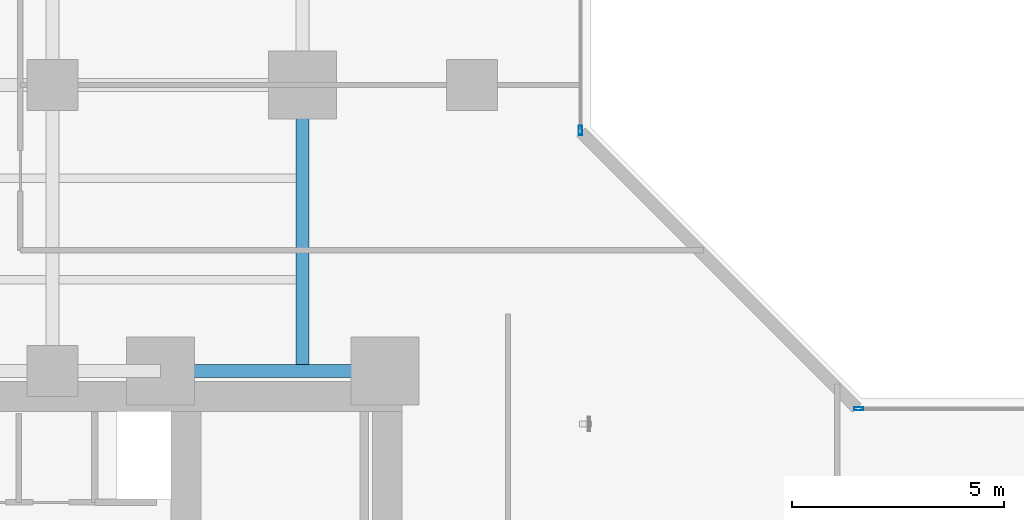
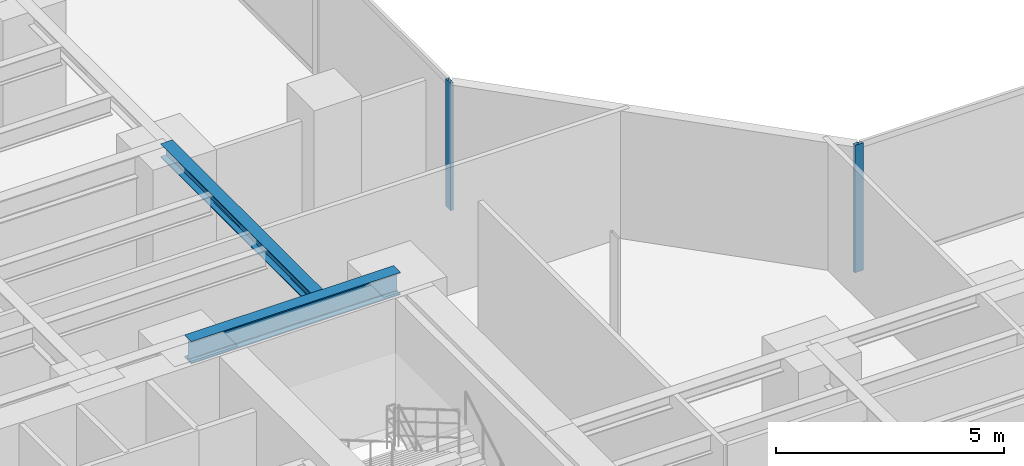
# One storey, part 8 of 28: 2 beams, 2 members, 2 elements without a shape of their own.
"""IFC4 building model written with IfcOpenShell, lengths in metres."""

import ifcopenshell
import ifcopenshell.guid

model = None  # the IFC model being written
_history = None  # IfcOwnerHistory: only IFC2X3 demands one
_inside = {}  # id of a spatial element -> (the spatial element, [elements in it])
_under = {}  # id of a project, library or spatial element -> (it, [spatial elements below it])
_declared = {}  # id of a project -> (the project, [libraries it declares])
_typed = {}  # id of a type object -> (the type object, [elements of that type])
_made_of = {}  # id of a material, layer set ... -> (it, [elements and type objects made of it])


def new_model(schema):
    """Start an empty IFC model of exactly this schema.

    Asked for "IFC4X3", IfcOpenShell would pick the latest addendum, in which some entities
    have other attributes; the version numbers below select the first issue.
    IFC2X3 requires an IfcOwnerHistory on every rooted entity: one is made here for all.
    """
    global model, _history
    if schema == "IFC4X3":
        model = ifcopenshell.file(schema_version=(4, 3, 0, 0))
    else:
        model = ifcopenshell.file(schema=schema)
    _inside.clear()
    _under.clear()
    _declared.clear()
    _typed.clear()
    _made_of.clear()
    _history = None
    if model.schema == "IFC2X3":
        org = make("IfcOrganization", Name="unknown")
        user = make(
            "IfcPersonAndOrganization",
            ThePerson=make("IfcPerson", FamilyName="unknown"),
            TheOrganization=org,
        )
        app = make(
            "IfcApplication",
            ApplicationDeveloper=org,
            Version="unknown",
            ApplicationFullName="unknown",
            ApplicationIdentifier="unknown",
        )
        _history = make(
            "IfcOwnerHistory",
            OwningUser=user,
            OwningApplication=app,
            ChangeAction="ADDED",
            CreationDate=0,
        )
    return model


def make(cls, **values):
    """One entity of the class cls with the attributes given. An attribute that is None is left unset."""
    return model.create_entity(
        cls, **{name: value for name, value in values.items() if value is not None}
    )


def rooted(cls, **values):
    """An entity with a GlobalId (a new one), such as an element, a storey or a relation."""
    return make(cls, GlobalId=ifcopenshell.guid.new(), OwnerHistory=_history, **values)


def si_unit(unit_type, name, prefix=None):
    """IfcSIUnit, for example si_unit("LENGTHUNIT", "METRE", prefix="MILLI")."""
    return make("IfcSIUnit", UnitType=unit_type, Prefix=prefix, Name=name)


def assignment(units):
    """IfcUnitAssignment: the units of a project."""
    return None if units is None else make("IfcUnitAssignment", Units=units)


def point(xyz):
    """IfcCartesianPoint."""
    return None if xyz is None else make("IfcCartesianPoint", Coordinates=xyz)


def direction(xyz):
    """IfcDirection."""
    return None if xyz is None else make("IfcDirection", DirectionRatios=xyz)


def frame(location, z_axis=None, x_axis=None):
    """IfcAxis2Placement3D, a coordinate frame: its origin and axes. An axis left out is left unset."""
    return make(
        "IfcAxis2Placement3D",
        Location=point(location),
        Axis=direction(z_axis),
        RefDirection=direction(x_axis),
    )


def frame_2d(location, x_axis=None):
    """IfcAxis2Placement2D, a coordinate frame in the plane: its origin and x axis."""
    return make(
        "IfcAxis2Placement2D", Location=point(location), RefDirection=direction(x_axis)
    )


def origin():
    """The frame at (0, 0, 0) with its axes left unset."""
    return frame((0.0, 0.0, 0.0))


def origin_with_axes():
    """The frame at (0, 0, 0) with the z axis (0, 0, 1) and the x axis (1, 0, 0) written out."""
    return frame((0.0, 0.0, 0.0), z_axis=(0.0, 0.0, 1.0), x_axis=(1.0, 0.0, 0.0))


def origin_2d():
    """The frame at (0, 0) in the plane with its x axis left unset."""
    return frame_2d((0.0, 0.0))


def place(relative_to, where):
    """IfcLocalPlacement: puts the frame where relative to a parent placement (None: the world)."""
    return make(
        "IfcLocalPlacement", PlacementRelTo=relative_to, RelativePlacement=where
    )


def context(
    kind, dimensions, precision=None, world=None, true_north=None, identifier=None
):
    """IfcGeometricRepresentationContext, for example the 3D "Model" context."""
    return make(
        "IfcGeometricRepresentationContext",
        ContextIdentifier=identifier,
        ContextType=kind,
        CoordinateSpaceDimension=dimensions,
        Precision=precision,
        WorldCoordinateSystem=world,
        TrueNorth=true_north,
    )


def subcontext(parent, identifier, kind, view, scale=None):
    """IfcGeometricRepresentationSubContext, for example "Body" below "Model"."""
    return make(
        "IfcGeometricRepresentationSubContext",
        ContextIdentifier=identifier,
        ContextType=kind,
        ParentContext=parent,
        TargetScale=scale,
        TargetView=view,
    )


def project(units=None, contexts=None):
    """IfcProject with its units and contexts."""
    return rooted(
        "IfcProject",
        Name="project",
        RepresentationContexts=contexts,
        UnitsInContext=assignment(units),
    )


def spatial(cls, under=None, at=None, **own):
    """A site, building, storey or space (cls), placed at a placement, below another one or the project."""
    s = rooted(cls, ObjectPlacement=at, **own)
    if under is not None:
        _under.setdefault(under.id(), (under, []))[1].append(s)
    return s


def profile(cls, at=None, kind="AREA", **sizes):
    """A parametric profile (cls). Its sizes go by their IFC names, for example OverallWidth=200.0."""
    return make(cls, ProfileType=kind, Position=at, **sizes)


def hollow_rectangle(**sizes):
    """IfcRectangleHollowProfileDef."""
    return profile("IfcRectangleHollowProfileDef", **sizes)


def i_section(**sizes):
    """IfcIShapeProfileDef."""
    return profile("IfcIShapeProfileDef", **sizes)


def extrude(swept, where, along, depth):
    """IfcExtrudedAreaSolid: the profile swept, set in the frame where, extruded along a direction by depth."""
    return make(
        "IfcExtrudedAreaSolid",
        SweptArea=swept,
        Position=where,
        ExtrudedDirection=direction(along),
        Depth=depth,
    )


def shape(context_of_items, identifier, shape_type, items):
    """IfcShapeRepresentation: the items that make up one representation, for example the "Body"."""
    return make(
        "IfcShapeRepresentation",
        ContextOfItems=context_of_items,
        RepresentationIdentifier=identifier,
        RepresentationType=shape_type,
        Items=items,
    )


def source(mapping_origin, context_of_items, identifier, shape_type, items):
    """IfcRepresentationMap: a shape defined once, which mapped items show again and again."""
    return make(
        "IfcRepresentationMap",
        MappingOrigin=mapping_origin,
        MappedRepresentation=shape(context_of_items, identifier, shape_type, items),
    )


def transform(
    local_origin,
    x_axis=None,
    y_axis=None,
    z_axis=None,
    scale=None,
    scale2=None,
    scale3=None,
    uniform=True,
):
    """IfcCartesianTransformationOperator3D, or its non-uniform kind. x_axis, y_axis, z_axis: its Axis1, 2, 3."""
    if uniform:
        return make(
            "IfcCartesianTransformationOperator3D",
            Axis1=direction(x_axis),
            Axis2=direction(y_axis),
            LocalOrigin=point(local_origin),
            Scale=scale,
            Axis3=direction(z_axis),
        )
    return make(
        "IfcCartesianTransformationOperator3DnonUniform",
        Axis1=direction(x_axis),
        Axis2=direction(y_axis),
        LocalOrigin=point(local_origin),
        Scale=scale,
        Axis3=direction(z_axis),
        Scale2=scale2,
        Scale3=scale3,
    )


def mapped(mapping_source, mapping_target):
    """IfcMappedItem: shows the shape of a source again, moved by a transform."""
    return make(
        "IfcMappedItem", MappingSource=mapping_source, MappingTarget=mapping_target
    )


def material(Name=None, Category=None):
    """IfcMaterial."""
    return make("IfcMaterial", Name=Name, Category=Category)


def layer(
    of_material, thickness, ventilated=None, Name=None, Category=None, Priority=None
):
    """IfcMaterialLayer: one layer of a wall or slab, of a material (None: an air gap)."""
    return make(
        "IfcMaterialLayer",
        Material=of_material,
        LayerThickness=thickness,
        IsVentilated=ventilated,
        Name=Name,
        Category=Category,
        Priority=Priority,
    )


def layer_set(layers, Name=None):
    """IfcMaterialLayerSet."""
    return make("IfcMaterialLayerSet", MaterialLayers=layers, LayerSetName=Name)


def material_profile(
    of_material, cross_section, Name=None, Category=None, Priority=None
):
    """IfcMaterialProfile: a cross section and its material."""
    return make(
        "IfcMaterialProfile",
        Name=Name,
        Material=of_material,
        Profile=cross_section,
        Priority=Priority,
        Category=Category,
    )


def profile_set(profiles, Name=None, composite=None):
    """IfcMaterialProfileSet."""
    return make(
        "IfcMaterialProfileSet",
        Name=Name,
        MaterialProfiles=profiles,
        CompositeProfile=composite,
    )


def made_of(thing, what):
    """Note that an element or type object is made of a material, layer set ...; save() writes the relation."""
    if what is not None:
        _made_of.setdefault(what.id(), (what, []))[1].append(thing)
    return thing


def type_object(cls, material=None, **own):
    """A type object (cls), such as IfcWallType, which elements share."""
    return made_of(rooted(cls, **own), material)


def element(
    cls,
    number,
    at=None,
    inside=None,
    cuts=None,
    type_object=None,
    material=None,
    context=None,
    identifier="Body",
    shape_type=None,
    held_by="IfcProductDefinitionShape",
    body=None,
    shapes=None,
    **own,
):
    """One element of the class cls, such as IfcWall. Its Tag is "e" and its number.

    at: its placement. inside: the storey or other place that contains it. cuts: it is an
    opening in that element (IfcRelVoidsElement). A single representation is given by context,
    identifier, shape_type and body (its items); several are given by shapes. held_by: the class
    of the entity that holds the representations. save() writes the other relations.
    """
    e = rooted(cls, Tag="e%d" % number, ObjectPlacement=at, **own)
    if body is not None:
        shapes = [shape(context, identifier, shape_type, body)]
    if shapes is not None:
        e.Representation = make(held_by, Representations=shapes)
    if inside is not None:
        _inside.setdefault(inside.id(), (inside, []))[1].append(e)
    if cuts is not None:
        rooted(
            "IfcRelVoidsElement", RelatingBuildingElement=cuts, RelatedOpeningElement=e
        )
    if type_object is not None:
        _typed.setdefault(type_object.id(), (type_object, []))[1].append(e)
    return made_of(e, material)


def aggregate(whole, parts):
    """IfcRelAggregates: a whole, such as a stair, and the parts it consists of."""
    return rooted("IfcRelAggregates", RelatingObject=whole, RelatedObjects=parts)


def save(model, path):
    """Write the relations noted so far, then the file.

    IfcRelAggregates (storeys below a building ...), IfcRelContainedInSpatialStructure (elements
    in a storey), IfcRelDefinesByType, IfcRelAssociatesMaterial and IfcRelDeclares: one each for
    every whole, place, type object, material and project.
    """
    for whole, parts in _under.values():
        aggregate(whole, parts)
    for where, things in _inside.values():
        rooted(
            "IfcRelContainedInSpatialStructure",
            RelatedElements=things,
            RelatingStructure=where,
        )
    for kind, things in _typed.values():
        rooted("IfcRelDefinesByType", RelatedObjects=things, RelatingType=kind)
    for what, things in _made_of.values():
        rooted("IfcRelAssociatesMaterial", RelatedObjects=things, RelatingMaterial=what)
    for by, libraries in _declared.values():
        rooted("IfcRelDeclares", RelatingContext=by, RelatedDefinitions=libraries)
    model.write(path)


model = new_model("IFC4")

# Units and contexts
model_context = context("Model", 3, precision=1e-05, world=origin(), true_north=direction((0.0, 1.0)))
body_context = subcontext(model_context, "Body", "Model", "MODEL_VIEW")
ifc_project = project(units=[si_unit("LENGTHUNIT", "METRE"), si_unit("AREAUNIT", "SQUARE_METRE"), si_unit("VOLUMEUNIT", "CUBIC_METRE"), si_unit("PLANEANGLEUNIT", "RADIAN"), si_unit("MASSUNIT", "GRAM", prefix="KILO")], contexts=[model_context])

# Site, building, storey
site_placement = place(None, origin())
site = spatial("IfcSite", under=ifc_project, at=site_placement, CompositionType="ELEMENT")
building_placement = place(site_placement, origin())
building = spatial("IfcBuilding", under=site, at=building_placement, Name="Kolvaren Waterfront Exchange", CompositionType="ELEMENT")
storey_placement = place(building_placement, frame((0.0, 0.0, 79.0)))
storey = spatial("IfcBuildingStorey", under=building, at=storey_placement, Name="L20", CompositionType="ELEMENT", Elevation=79.0)

# Beams
ifc_material_1 = material(Name="Steel S355", Category="steel")
ifc_material_profile_1 = material_profile(ifc_material_1, i_section(OverallWidth=0.300048828125, OverallDepth=0.360107421875, WebThickness=0.012451171875, FlangeThickness=0.0224609375, FilletRadius=0.027099609375, at=origin_2d()), Name="HEB360")
ifc_profile_set_1 = profile_set([ifc_material_profile_1], Name="Steel S355")
beam_type_1 = type_object("IfcBeamType", Name="STR-BM-HEB360", PredefinedType="SPANDREL", material=ifc_profile_set_1)
beam_1_placement = place(storey_placement, frame((18.800048828125, 24.449951171875, 3.239990234375), z_axis=(0.0, 1.0, 0.0), x_axis=(-1.0, 0.0, 0.0)))
element("IfcBeam", 1, at=beam_1_placement, inside=storey, type_object=beam_type_1, Name="L20 north-arm edge beam 1", PredefinedType="SPANDREL", context=body_context, shape_type="SweptSolid", body=[
    extrude(i_section(OverallWidth=0.300048828125, OverallDepth=0.360107421875, WebThickness=0.012451171875, FlangeThickness=0.0224609375, FilletRadius=0.027099609375, at=origin_2d()), origin(), (0.0, 0.0, 1.0), 6.75),
])
ifc_material_profile_2 = material_profile(ifc_material_1, i_section(OverallWidth=0.300048828125, OverallDepth=0.60009765625, WebThickness=0.015380859375, FlangeThickness=0.030029296875, FilletRadius=0.027099609375, at=origin_2d()), Name="HEB600")
ifc_profile_set_2 = profile_set([ifc_material_profile_2], Name="Steel S355")
beam_type_2 = type_object("IfcBeamType", Name="STR-BM-HEB600", PredefinedType="BEAM", material=ifc_profile_set_2)
beam_2_placement = place(storey_placement, frame((15.449951171875, 24.449951171875, 3.1201171875), z_axis=(1.0, 0.0, 0.0), x_axis=(0.0, 1.0, 0.0)))
element("IfcBeam", 2, at=beam_2_placement, inside=storey, type_object=beam_type_2, Name="L20 north-arm girder 1C", PredefinedType="BEAM", context=body_context, shape_type="SweptSolid", body=[
    extrude(i_section(OverallWidth=0.300048828125, OverallDepth=0.60009765625, WebThickness=0.015380859375, FlangeThickness=0.030029296875, FilletRadius=0.027099609375, at=origin_2d()), origin(), (0.0, 0.0, 1.0), 5.300048828125),
])

# Curtain wall, member
ifc_material_2 = material(Name="Anodised bronze aluminium 6063-T6", Category="aluminium")
ifc_layer = layer(ifc_material_2, 0.219970703125, Name="Anodised bronze aluminium 6063-T6")
ifc_layer_set = layer_set([ifc_layer], Name="Anodised bronze aluminium 6063-T6")
curtain_wall_type = type_object("IfcCurtainWallType", Name="ARC-CW-SYS1", PredefinedType="USERDEFINED", material=ifc_layer_set)
curtain_wall_1_placement = place(storey_placement, origin())
curtain_wall_1 = element("IfcCurtainWall", 3, at=curtain_wall_1_placement, inside=storey, type_object=curtain_wall_type, Name="L20 stick curtain wall CW1 (CW-L20-NE)", ObjectType="STICK CURTAIN WALL", PredefinedType="USERDEFINED")
ifc_material_3 = material(Name="Anodised aluminium 6063-T6", Category="aluminium")
ifc_material_profile_3 = material_profile(ifc_material_3, hollow_rectangle(XDim=0.080078125, YDim=0.219970703125, WallThickness=0.0048828125, at=origin_2d()), Name="ALU-MUL-220x80x5")
ifc_profile_set_3 = profile_set([ifc_material_profile_3], Name="Anodised aluminium 6063-T6")
member_type = type_object("IfcMemberType", Name="ARC-CWM-220", PredefinedType="MULLION", material=ifc_profile_set_3)
shared_shape = source(origin_with_axes(), body_context, "Body", "SweptSolid", [
    extrude(hollow_rectangle(XDim=0.080078125, YDim=0.219970703125, WallThickness=0.0048828125, at=origin_2d()), origin(), (0.0, 0.0, 1.0), 3.419921875),
])
member_1_placement = place(storey_placement, frame((25.360107421875, 30.1298828125, 0.0), z_axis=(0.0, 0.0, 1.0), x_axis=(-1.0, 0.0, 0.0)))
member_1 = element("IfcMember", 4, at=member_1_placement, type_object=member_type, Name="CW1 mullion 1", PredefinedType="MULLION", context=body_context, shape_type="MappedRepresentation", body=[
    mapped(shared_shape, transform((0.0, 0.0, 0.0), x_axis=(1.0, 0.0, 0.0), y_axis=(0.0, 1.0, 0.0), z_axis=(0.0, 0.0, 1.0), scale=1.0)),
])
aggregate(curtain_wall_1, [member_1])

curtain_wall_2_placement = place(storey_placement, origin())
curtain_wall_2 = element("IfcCurtainWall", 5, at=curtain_wall_2_placement, inside=storey, type_object=curtain_wall_type, Name="L20 stick curtain wall CW1 (CW-L20-EN)", ObjectType="STICK CURTAIN WALL", PredefinedType="USERDEFINED")
member_2_placement = place(storey_placement, frame((31.929931640625, 23.56005859375, 0.0), z_axis=(0.0, 0.0, 1.0), x_axis=(0.0, 1.0, 0.0)))
member_2 = element("IfcMember", 6, at=member_2_placement, type_object=member_type, Name="CW1 mullion 1", PredefinedType="MULLION", context=body_context, shape_type="MappedRepresentation", body=[
    mapped(shared_shape, transform((0.0, 0.0, 0.0), x_axis=(1.0, 0.0, 0.0), y_axis=(0.0, 1.0, 0.0), z_axis=(0.0, 0.0, 1.0), scale=1.0)),
])
aggregate(curtain_wall_2, [member_2])

save(model, "model.ifc")
